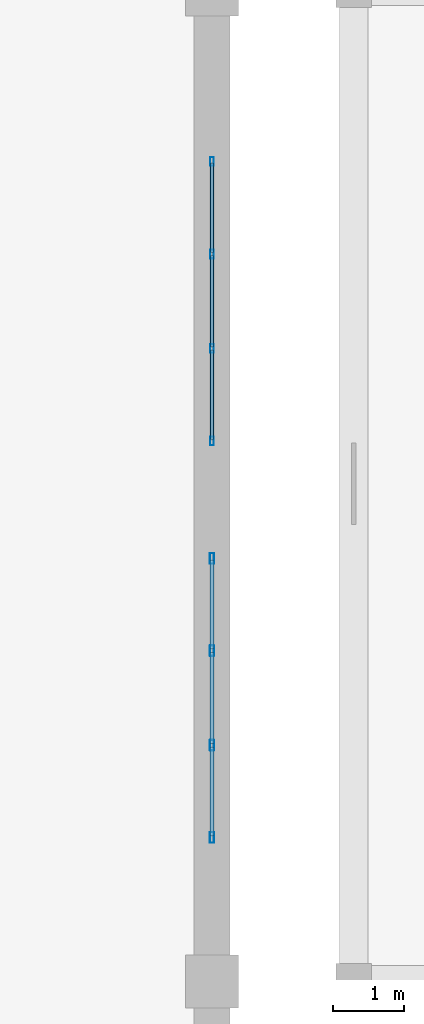
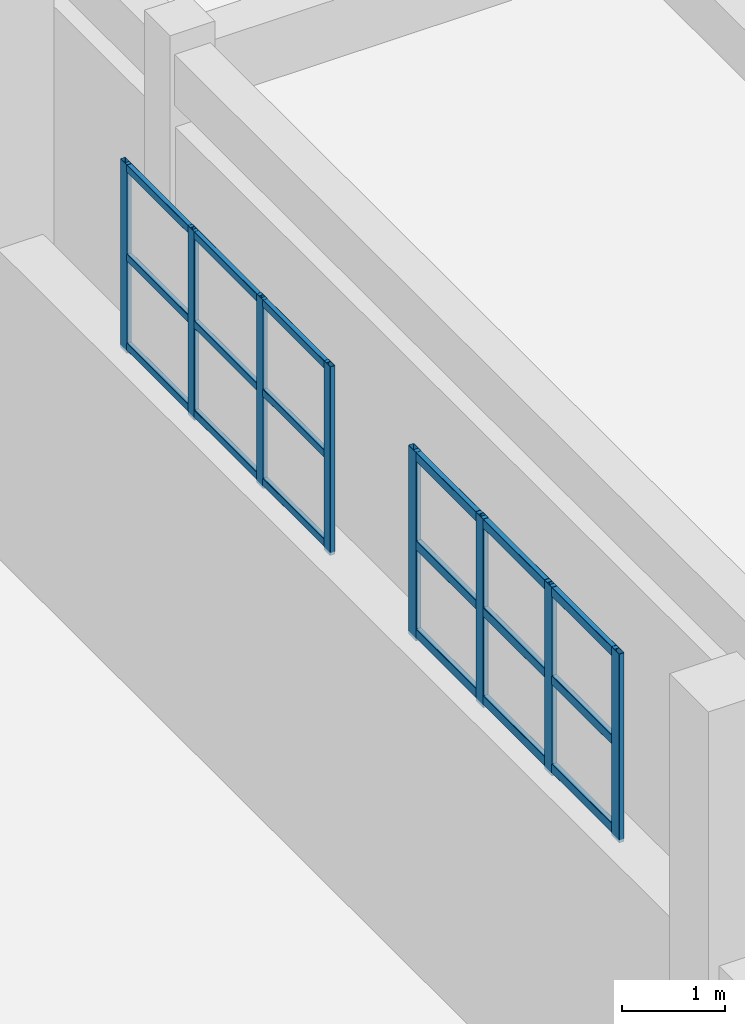
# One storey, part 128 of 197: 26 members, 2 elements without a shape of their own.
"""IFC4 building model written with IfcOpenShell, lengths in metres."""

from ifc_helpers import new_model, si_unit, derived_unit, direction, frame, origin, origin_2d, place, context, subcontext, project, spatial, hollow_rectangle, extrude, material, layer, layer_set, material_profile, profile_set, type_object, element, aggregate, save


model = new_model("IFC4")

# Units and contexts
model_context = context("Model", 3, precision=1e-05, world=origin(), true_north=direction((0.0, 1.0)))
body_context = subcontext(model_context, "Body", "Model", "MODEL_VIEW")
ifc_project = project(units=[si_unit("LENGTHUNIT", "METRE"), si_unit("AREAUNIT", "SQUARE_METRE"), si_unit("VOLUMEUNIT", "CUBIC_METRE"), si_unit("PLANEANGLEUNIT", "RADIAN"), si_unit("MASSUNIT", "GRAM", prefix="KILO"), derived_unit("THERMALTRANSMITTANCEUNIT", [(si_unit("POWERUNIT", "WATT"), 1), (si_unit("LENGTHUNIT", "METRE"), -2), (si_unit("THERMODYNAMICTEMPERATUREUNIT", "KELVIN"), -1)])], contexts=[model_context])

# Site, building, storey
site_placement = place(None, origin())
site = spatial("IfcSite", under=ifc_project, at=site_placement, CompositionType="ELEMENT")
building_placement = place(site_placement, origin())
building = spatial("IfcBuilding", under=site, at=building_placement, Name="Almenara Railside Exhibition Hall", CompositionType="ELEMENT")
storey_placement = place(building_placement, frame((0.0, 0.0, 5.39990234375)))
storey = spatial("IfcBuildingStorey", under=building, at=storey_placement, Name="L01", CompositionType="ELEMENT", Elevation=5.39990234375)

# Curtain wall, members
ifc_material_1 = material(Name="Bronze-anodised aluminium and low-E double glazing", Category="aluminium")
ifc_layer = layer(ifc_material_1, 0.179931640625, Name="Bronze-anodised aluminium and low-E double glazing")
ifc_layer_set = layer_set([ifc_layer], Name="Bronze-anodised aluminium and low-E double glazing")
curtain_wall_type = type_object("IfcCurtainWallType", Name="East Hall Clerestory Curtain Wall 4000x2100", PredefinedType="NOTDEFINED", material=ifc_layer_set)
curtain_wall_1_placement = place(storey_placement, origin())
curtain_wall_1 = element("IfcCurtainWall", 1, at=curtain_wall_1_placement, inside=storey, type_object=curtain_wall_type, Name="Curtain wall CW-CL4-066", PredefinedType="NOTDEFINED")
ifc_material_2 = material(Name="Bronze-anodised aluminium", Category="aluminium")
ifc_material_profile_1 = material_profile(ifc_material_2, hollow_rectangle(XDim=0.054931640625, YDim=0.125, WallThickness=0.0029296875, InnerFilletRadius=0.0029296875, OuterFilletRadius=0.006103515625, at=origin_2d()), Name="ALU-MUL 55x125x3")
ifc_profile_set_1 = profile_set([ifc_material_profile_1], Name="Bronze-anodised aluminium")
member_type_1 = type_object("IfcMemberType", Name="Curtain Wall Mullion 55x125x3", PredefinedType="MULLION", material=ifc_profile_set_1)
member_1_placement = place(storey_placement, frame((192.0, 83.62744140625, 3.614990234375), z_axis=(0.0, 0.0, 1.0), x_axis=(-1.0, 0.0, 0.0)))
member_1 = element("IfcMember", 2, at=member_1_placement, type_object=member_type_1, Name="CW-CL4-066 mullion 1", PredefinedType="MULLION", context=body_context, shape_type="SweptSolid", body=[
    extrude(hollow_rectangle(XDim=0.054931640625, YDim=0.125, WallThickness=0.0029296875, InnerFilletRadius=0.0029296875, OuterFilletRadius=0.006103515625, at=origin_2d()), origin(), (0.0, 0.0, 1.0), 2.235107421875),
])
member_2_placement = place(storey_placement, frame((192.0, 84.933349609375, 3.614990234375), z_axis=(0.0, 0.0, 1.0), x_axis=(-1.0, 0.0, 0.0)))
member_2 = element("IfcMember", 3, at=member_2_placement, type_object=member_type_1, Name="CW-CL4-066 mullion 2", PredefinedType="MULLION", context=body_context, shape_type="SweptSolid", body=[
    extrude(hollow_rectangle(XDim=0.054931640625, YDim=0.125, WallThickness=0.0029296875, InnerFilletRadius=0.0029296875, OuterFilletRadius=0.006103515625, at=origin_2d()), origin(), (0.0, 0.0, 1.0), 2.235107421875),
])
member_3_placement = place(storey_placement, frame((192.0, 86.2666015625, 3.614990234375), z_axis=(0.0, 0.0, 1.0), x_axis=(-1.0, 0.0, 0.0)))
member_3 = element("IfcMember", 4, at=member_3_placement, type_object=member_type_1, Name="CW-CL4-066 mullion 3", PredefinedType="MULLION", context=body_context, shape_type="SweptSolid", body=[
    extrude(hollow_rectangle(XDim=0.054931640625, YDim=0.125, WallThickness=0.0029296875, InnerFilletRadius=0.0029296875, OuterFilletRadius=0.006103515625, at=origin_2d()), origin(), (0.0, 0.0, 1.0), 2.235107421875),
])
member_4_placement = place(storey_placement, frame((192.0, 87.572509765625, 3.614990234375), z_axis=(0.0, 0.0, 1.0), x_axis=(-1.0, 0.0, 0.0)))
member_4 = element("IfcMember", 5, at=member_4_placement, type_object=member_type_1, Name="CW-CL4-066 mullion 4", PredefinedType="MULLION", context=body_context, shape_type="SweptSolid", body=[
    extrude(hollow_rectangle(XDim=0.054931640625, YDim=0.125, WallThickness=0.0029296875, InnerFilletRadius=0.0029296875, OuterFilletRadius=0.006103515625, at=origin_2d()), origin(), (0.0, 0.0, 1.0), 2.235107421875),
])

curtain_wall_2_placement = place(storey_placement, origin())
curtain_wall_2 = element("IfcCurtainWall", 6, at=curtain_wall_2_placement, inside=storey, type_object=curtain_wall_type, Name="Curtain wall CW-CL4-065", PredefinedType="NOTDEFINED")
ifc_material_profile_2 = material_profile(ifc_material_2, hollow_rectangle(XDim=0.06005859375, YDim=0.14990234375, WallThickness=0.00341796875, InnerFilletRadius=0.00341796875, OuterFilletRadius=0.007080078125, at=origin_2d()), Name="ALU-MUL 60x150x3.5")
ifc_profile_set_2 = profile_set([ifc_material_profile_2], Name="Bronze-anodised aluminium")
member_type_2 = type_object("IfcMemberType", Name="Curtain Wall Mullion 60x150x3.5", PredefinedType="MULLION", material=ifc_profile_set_2)
member_5_placement = place(storey_placement, frame((192.0, 78.030029296875, 3.614990234375), z_axis=(0.0, 0.0, 1.0), x_axis=(-1.0, 0.0, 0.0)))
member_5 = element("IfcMember", 7, at=member_5_placement, type_object=member_type_2, Name="CW-CL4-065 mullion 1", PredefinedType="MULLION", context=body_context, shape_type="SweptSolid", body=[
    extrude(hollow_rectangle(XDim=0.06005859375, YDim=0.14990234375, WallThickness=0.00341796875, InnerFilletRadius=0.00341796875, OuterFilletRadius=0.007080078125, at=origin_2d()), origin(), (0.0, 0.0, 1.0), 2.235107421875),
])
member_6_placement = place(storey_placement, frame((192.0, 79.333251953125, 3.614990234375), z_axis=(0.0, 0.0, 1.0), x_axis=(-1.0, 0.0, 0.0)))
member_6 = element("IfcMember", 8, at=member_6_placement, type_object=member_type_2, Name="CW-CL4-065 mullion 2", PredefinedType="MULLION", context=body_context, shape_type="SweptSolid", body=[
    extrude(hollow_rectangle(XDim=0.06005859375, YDim=0.14990234375, WallThickness=0.00341796875, InnerFilletRadius=0.00341796875, OuterFilletRadius=0.007080078125, at=origin_2d()), origin(), (0.0, 0.0, 1.0), 2.235107421875),
])
member_7_placement = place(storey_placement, frame((192.0, 80.666748046875, 3.614990234375), z_axis=(0.0, 0.0, 1.0), x_axis=(-1.0, 0.0, 0.0)))
member_7 = element("IfcMember", 9, at=member_7_placement, type_object=member_type_2, Name="CW-CL4-065 mullion 3", PredefinedType="MULLION", context=body_context, shape_type="SweptSolid", body=[
    extrude(hollow_rectangle(XDim=0.06005859375, YDim=0.14990234375, WallThickness=0.00341796875, InnerFilletRadius=0.00341796875, OuterFilletRadius=0.007080078125, at=origin_2d()), origin(), (0.0, 0.0, 1.0), 2.235107421875),
])
member_8_placement = place(storey_placement, frame((192.0, 81.969970703125, 3.614990234375), z_axis=(0.0, 0.0, 1.0), x_axis=(-1.0, 0.0, 0.0)))
member_8 = element("IfcMember", 10, at=member_8_placement, type_object=member_type_2, Name="CW-CL4-065 mullion 4", PredefinedType="MULLION", context=body_context, shape_type="SweptSolid", body=[
    extrude(hollow_rectangle(XDim=0.06005859375, YDim=0.14990234375, WallThickness=0.00341796875, InnerFilletRadius=0.00341796875, OuterFilletRadius=0.007080078125, at=origin_2d()), origin(), (0.0, 0.0, 1.0), 2.235107421875),
])

# Member
ifc_material_profile_3 = material_profile(ifc_material_2, hollow_rectangle(XDim=0.054931640625, YDim=0.090087890625, WallThickness=0.0029296875, InnerFilletRadius=0.0029296875, OuterFilletRadius=0.006103515625, at=origin_2d()), Name="ALU-TRN 55x90x3")
ifc_profile_set_3 = profile_set([ifc_material_profile_3], Name="Bronze-anodised aluminium")
member_type_3 = type_object("IfcMemberType", Name="Curtain Wall Transom 55x90x3", PredefinedType="USERDEFINED", material=ifc_profile_set_3)
member_9_placement = place(storey_placement, frame((192.0, 83.64697265625, 3.695068359375), z_axis=(0.0, 1.0, 0.0), x_axis=(-1.0, 0.0, 0.0)))
member_9 = element("IfcMember", 11, at=member_9_placement, type_object=member_type_3, Name="CW-CL4-066 transom 1.1", ObjectType="TRANSOM", PredefinedType="USERDEFINED", context=body_context, shape_type="SweptSolid", body=[
    extrude(hollow_rectangle(XDim=0.054931640625, YDim=0.090087890625, WallThickness=0.0029296875, InnerFilletRadius=0.0029296875, OuterFilletRadius=0.006103515625, at=origin_2d()), origin(), (0.0, 0.0, 1.0), 1.266845703125),
])

member_10_placement = place(storey_placement, frame((192.0, 83.64697265625, 4.75), z_axis=(0.0, 1.0, 0.0), x_axis=(-1.0, 0.0, 0.0)))
member_10 = element("IfcMember", 12, at=member_10_placement, type_object=member_type_3, Name="CW-CL4-066 transom 1.2", ObjectType="TRANSOM", PredefinedType="USERDEFINED", context=body_context, shape_type="SweptSolid", body=[
    extrude(hollow_rectangle(XDim=0.054931640625, YDim=0.090087890625, WallThickness=0.0029296875, InnerFilletRadius=0.0029296875, OuterFilletRadius=0.006103515625, at=origin_2d()), origin(), (0.0, 0.0, 1.0), 1.266845703125),
])

member_11_placement = place(storey_placement, frame((192.0, 83.64697265625, 5.80517578125), z_axis=(0.0, 1.0, 0.0), x_axis=(-1.0, 0.0, 0.0)))
member_11 = element("IfcMember", 13, at=member_11_placement, type_object=member_type_3, Name="CW-CL4-066 transom 1.3", ObjectType="TRANSOM", PredefinedType="USERDEFINED", context=body_context, shape_type="SweptSolid", body=[
    extrude(hollow_rectangle(XDim=0.054931640625, YDim=0.090087890625, WallThickness=0.0029296875, InnerFilletRadius=0.0029296875, OuterFilletRadius=0.006103515625, at=origin_2d()), origin(), (0.0, 0.0, 1.0), 1.266845703125),
])

member_12_placement = place(storey_placement, frame((192.0, 84.952880859375, 3.695068359375), z_axis=(0.0, 1.0, 0.0), x_axis=(-1.0, 0.0, 0.0)))
member_12 = element("IfcMember", 14, at=member_12_placement, type_object=member_type_3, Name="CW-CL4-066 transom 2.1", ObjectType="TRANSOM", PredefinedType="USERDEFINED", context=body_context, shape_type="SweptSolid", body=[
    extrude(hollow_rectangle(XDim=0.054931640625, YDim=0.090087890625, WallThickness=0.0029296875, InnerFilletRadius=0.0029296875, OuterFilletRadius=0.006103515625, at=origin_2d()), origin(), (0.0, 0.0, 1.0), 1.294189453125),
])

member_13_placement = place(storey_placement, frame((192.0, 84.952880859375, 4.75), z_axis=(0.0, 1.0, 0.0), x_axis=(-1.0, 0.0, 0.0)))
member_13 = element("IfcMember", 15, at=member_13_placement, type_object=member_type_3, Name="CW-CL4-066 transom 2.2", ObjectType="TRANSOM", PredefinedType="USERDEFINED", context=body_context, shape_type="SweptSolid", body=[
    extrude(hollow_rectangle(XDim=0.054931640625, YDim=0.090087890625, WallThickness=0.0029296875, InnerFilletRadius=0.0029296875, OuterFilletRadius=0.006103515625, at=origin_2d()), origin(), (0.0, 0.0, 1.0), 1.294189453125),
])

member_14_placement = place(storey_placement, frame((192.0, 84.952880859375, 5.80517578125), z_axis=(0.0, 1.0, 0.0), x_axis=(-1.0, 0.0, 0.0)))
member_14 = element("IfcMember", 16, at=member_14_placement, type_object=member_type_3, Name="CW-CL4-066 transom 2.3", ObjectType="TRANSOM", PredefinedType="USERDEFINED", context=body_context, shape_type="SweptSolid", body=[
    extrude(hollow_rectangle(XDim=0.054931640625, YDim=0.090087890625, WallThickness=0.0029296875, InnerFilletRadius=0.0029296875, OuterFilletRadius=0.006103515625, at=origin_2d()), origin(), (0.0, 0.0, 1.0), 1.294189453125),
])

member_15_placement = place(storey_placement, frame((192.0, 86.2861328125, 3.695068359375), z_axis=(0.0, 1.0, 0.0), x_axis=(-1.0, 0.0, 0.0)))
member_15 = element("IfcMember", 17, at=member_15_placement, type_object=member_type_3, Name="CW-CL4-066 transom 3.1", ObjectType="TRANSOM", PredefinedType="USERDEFINED", context=body_context, shape_type="SweptSolid", body=[
    extrude(hollow_rectangle(XDim=0.054931640625, YDim=0.090087890625, WallThickness=0.0029296875, InnerFilletRadius=0.0029296875, OuterFilletRadius=0.006103515625, at=origin_2d()), origin(), (0.0, 0.0, 1.0), 1.266845703125),
])

member_16_placement = place(storey_placement, frame((192.0, 86.2861328125, 4.75), z_axis=(0.0, 1.0, 0.0), x_axis=(-1.0, 0.0, 0.0)))
member_16 = element("IfcMember", 18, at=member_16_placement, type_object=member_type_3, Name="CW-CL4-066 transom 3.2", ObjectType="TRANSOM", PredefinedType="USERDEFINED", context=body_context, shape_type="SweptSolid", body=[
    extrude(hollow_rectangle(XDim=0.054931640625, YDim=0.090087890625, WallThickness=0.0029296875, InnerFilletRadius=0.0029296875, OuterFilletRadius=0.006103515625, at=origin_2d()), origin(), (0.0, 0.0, 1.0), 1.266845703125),
])

member_17_placement = place(storey_placement, frame((192.0, 86.2861328125, 5.80517578125), z_axis=(0.0, 1.0, 0.0), x_axis=(-1.0, 0.0, 0.0)))
member_17 = element("IfcMember", 19, at=member_17_placement, type_object=member_type_3, Name="CW-CL4-066 transom 3.3", ObjectType="TRANSOM", PredefinedType="USERDEFINED", context=body_context, shape_type="SweptSolid", body=[
    extrude(hollow_rectangle(XDim=0.054931640625, YDim=0.090087890625, WallThickness=0.0029296875, InnerFilletRadius=0.0029296875, OuterFilletRadius=0.006103515625, at=origin_2d()), origin(), (0.0, 0.0, 1.0), 1.266845703125),
])

aggregate(curtain_wall_1, [member_1, member_2, member_3, member_4, member_9, member_10, member_11, member_12, member_13, member_14, member_15, member_16, member_17])

ifc_material_profile_4 = material_profile(ifc_material_2, hollow_rectangle(XDim=0.06005859375, YDim=0.110107421875, WallThickness=0.0029296875, InnerFilletRadius=0.0029296875, OuterFilletRadius=0.006103515625, at=origin_2d()), Name="ALU-TRN 60x110x3")
ifc_profile_set_4 = profile_set([ifc_material_profile_4], Name="Bronze-anodised aluminium")
member_type_4 = type_object("IfcMemberType", Name="Curtain Wall Transom 60x110x3", PredefinedType="USERDEFINED", material=ifc_profile_set_4)
member_18_placement = place(storey_placement, frame((192.0, 78.052001953125, 3.705078125), z_axis=(0.0, 1.0, 0.0), x_axis=(-1.0, 0.0, 0.0)))
member_18 = element("IfcMember", 20, at=member_18_placement, type_object=member_type_4, Name="CW-CL4-065 transom 1.1", ObjectType="TRANSOM", PredefinedType="USERDEFINED", context=body_context, shape_type="SweptSolid", body=[
    extrude(hollow_rectangle(XDim=0.06005859375, YDim=0.110107421875, WallThickness=0.0029296875, InnerFilletRadius=0.0029296875, OuterFilletRadius=0.006103515625, at=origin_2d()), origin(), (0.0, 0.0, 1.0), 1.25927734375),
])

member_19_placement = place(storey_placement, frame((192.0, 78.052001953125, 4.75), z_axis=(0.0, 1.0, 0.0), x_axis=(-1.0, 0.0, 0.0)))
member_19 = element("IfcMember", 21, at=member_19_placement, type_object=member_type_4, Name="CW-CL4-065 transom 1.2", ObjectType="TRANSOM", PredefinedType="USERDEFINED", context=body_context, shape_type="SweptSolid", body=[
    extrude(hollow_rectangle(XDim=0.06005859375, YDim=0.110107421875, WallThickness=0.0029296875, InnerFilletRadius=0.0029296875, OuterFilletRadius=0.006103515625, at=origin_2d()), origin(), (0.0, 0.0, 1.0), 1.25927734375),
])

member_20_placement = place(storey_placement, frame((192.0, 78.052001953125, 5.795166015625), z_axis=(0.0, 1.0, 0.0), x_axis=(-1.0, 0.0, 0.0)))
member_20 = element("IfcMember", 22, at=member_20_placement, type_object=member_type_4, Name="CW-CL4-065 transom 1.3", ObjectType="TRANSOM", PredefinedType="USERDEFINED", context=body_context, shape_type="SweptSolid", body=[
    extrude(hollow_rectangle(XDim=0.06005859375, YDim=0.110107421875, WallThickness=0.0029296875, InnerFilletRadius=0.0029296875, OuterFilletRadius=0.006103515625, at=origin_2d()), origin(), (0.0, 0.0, 1.0), 1.25927734375),
])

member_21_placement = place(storey_placement, frame((192.0, 79.355224609375, 3.705078125), z_axis=(0.0, 1.0, 0.0), x_axis=(-1.0, 0.0, 0.0)))
member_21 = element("IfcMember", 23, at=member_21_placement, type_object=member_type_4, Name="CW-CL4-065 transom 2.1", ObjectType="TRANSOM", PredefinedType="USERDEFINED", context=body_context, shape_type="SweptSolid", body=[
    extrude(hollow_rectangle(XDim=0.06005859375, YDim=0.110107421875, WallThickness=0.0029296875, InnerFilletRadius=0.0029296875, OuterFilletRadius=0.006103515625, at=origin_2d()), origin(), (0.0, 0.0, 1.0), 1.28955078125),
])

member_22_placement = place(storey_placement, frame((192.0, 79.355224609375, 4.75), z_axis=(0.0, 1.0, 0.0), x_axis=(-1.0, 0.0, 0.0)))
member_22 = element("IfcMember", 24, at=member_22_placement, type_object=member_type_4, Name="CW-CL4-065 transom 2.2", ObjectType="TRANSOM", PredefinedType="USERDEFINED", context=body_context, shape_type="SweptSolid", body=[
    extrude(hollow_rectangle(XDim=0.06005859375, YDim=0.110107421875, WallThickness=0.0029296875, InnerFilletRadius=0.0029296875, OuterFilletRadius=0.006103515625, at=origin_2d()), origin(), (0.0, 0.0, 1.0), 1.28955078125),
])

member_23_placement = place(storey_placement, frame((192.0, 79.355224609375, 5.795166015625), z_axis=(0.0, 1.0, 0.0), x_axis=(-1.0, 0.0, 0.0)))
member_23 = element("IfcMember", 25, at=member_23_placement, type_object=member_type_4, Name="CW-CL4-065 transom 2.3", ObjectType="TRANSOM", PredefinedType="USERDEFINED", context=body_context, shape_type="SweptSolid", body=[
    extrude(hollow_rectangle(XDim=0.06005859375, YDim=0.110107421875, WallThickness=0.0029296875, InnerFilletRadius=0.0029296875, OuterFilletRadius=0.006103515625, at=origin_2d()), origin(), (0.0, 0.0, 1.0), 1.28955078125),
])

member_24_placement = place(storey_placement, frame((192.0, 80.688720703125, 3.705078125), z_axis=(0.0, 1.0, 0.0), x_axis=(-1.0, 0.0, 0.0)))
member_24 = element("IfcMember", 26, at=member_24_placement, type_object=member_type_4, Name="CW-CL4-065 transom 3.1", ObjectType="TRANSOM", PredefinedType="USERDEFINED", context=body_context, shape_type="SweptSolid", body=[
    extrude(hollow_rectangle(XDim=0.06005859375, YDim=0.110107421875, WallThickness=0.0029296875, InnerFilletRadius=0.0029296875, OuterFilletRadius=0.006103515625, at=origin_2d()), origin(), (0.0, 0.0, 1.0), 1.25927734375),
])

member_25_placement = place(storey_placement, frame((192.0, 80.688720703125, 4.75), z_axis=(0.0, 1.0, 0.0), x_axis=(-1.0, 0.0, 0.0)))
member_25 = element("IfcMember", 27, at=member_25_placement, type_object=member_type_4, Name="CW-CL4-065 transom 3.2", ObjectType="TRANSOM", PredefinedType="USERDEFINED", context=body_context, shape_type="SweptSolid", body=[
    extrude(hollow_rectangle(XDim=0.06005859375, YDim=0.110107421875, WallThickness=0.0029296875, InnerFilletRadius=0.0029296875, OuterFilletRadius=0.006103515625, at=origin_2d()), origin(), (0.0, 0.0, 1.0), 1.25927734375),
])

member_26_placement = place(storey_placement, frame((192.0, 80.688720703125, 5.795166015625), z_axis=(0.0, 1.0, 0.0), x_axis=(-1.0, 0.0, 0.0)))
member_26 = element("IfcMember", 28, at=member_26_placement, type_object=member_type_4, Name="CW-CL4-065 transom 3.3", ObjectType="TRANSOM", PredefinedType="USERDEFINED", context=body_context, shape_type="SweptSolid", body=[
    extrude(hollow_rectangle(XDim=0.06005859375, YDim=0.110107421875, WallThickness=0.0029296875, InnerFilletRadius=0.0029296875, OuterFilletRadius=0.006103515625, at=origin_2d()), origin(), (0.0, 0.0, 1.0), 1.25927734375),
])

aggregate(curtain_wall_2, [member_5, member_6, member_7, member_8, member_18, member_19, member_20, member_21, member_22, member_23, member_24, member_25, member_26])

save(model, "model.ifc")
